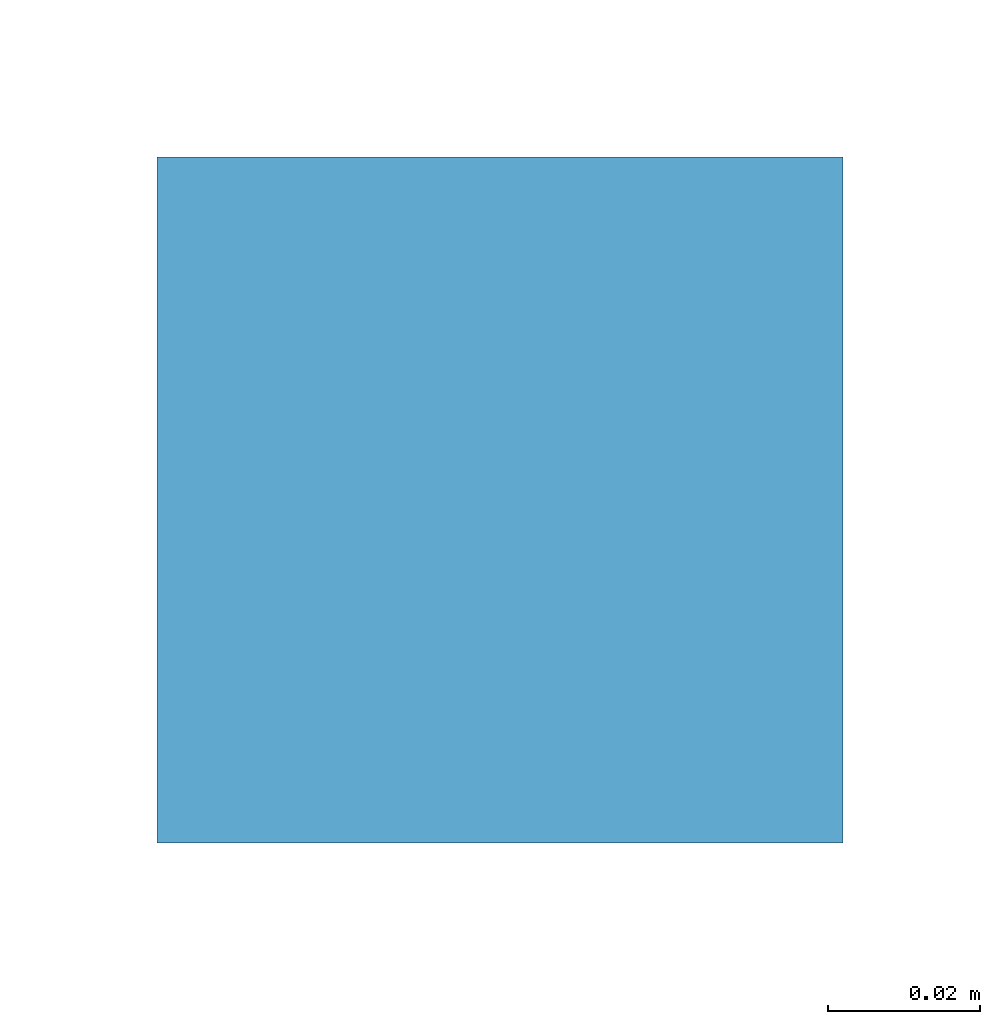
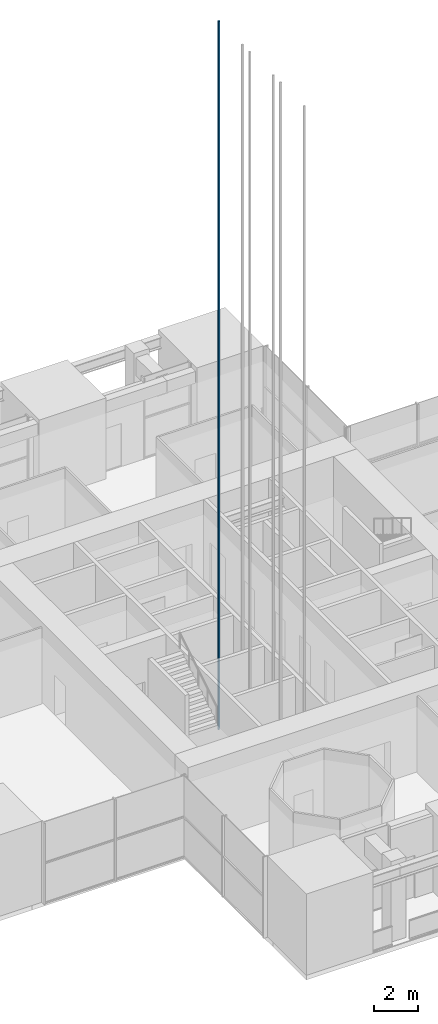
# One storey, part 13 of 17: 1 discrete accessory.
"""IFC4 building model written with IfcOpenShell, lengths in metres."""

from ifc_helpers import new_model, si_unit, direction, frame, origin, origin_2d, place, context, subcontext, project, spatial, rectangle, extrude, element, save


model = new_model("IFC4")

# Units and contexts
model_context = context("Model", 3, precision=1e-05, world=origin(), true_north=direction((0.0, 1.0)))
body_context = subcontext(model_context, "Body", "Model", "MODEL_VIEW")
ifc_project = project(units=[si_unit("LENGTHUNIT", "METRE"), si_unit("AREAUNIT", "SQUARE_METRE"), si_unit("VOLUMEUNIT", "CUBIC_METRE"), si_unit("PLANEANGLEUNIT", "RADIAN"), si_unit("MASSUNIT", "GRAM", prefix="KILO")], contexts=[model_context])

# Site, building, storey
site_placement = place(None, origin())
site = spatial("IfcSite", under=ifc_project, at=site_placement, CompositionType="ELEMENT")
building_placement = place(site_placement, origin())
building = spatial("IfcBuilding", under=site, at=building_placement, Name="Svetlomir Tower", CompositionType="ELEMENT")
storey_placement = place(building_placement, frame((0.0, 0.0, 239.5)))
storey = spatial("IfcBuildingStorey", under=building, at=storey_placement, Name="L57", CompositionType="ELEMENT", Elevation=239.5)

# Discrete accessory
discrete_accessory_placement = place(storey_placement, frame((18.300048828125, 20.574951171875, -1.39990234375), z_axis=(0.0, 0.0, 1.0), x_axis=(1.0, 0.0, 0.0)))
element("IfcDiscreteAccessory", 1, at=discrete_accessory_placement, inside=storey, Name="Lift LD3 guide rail 2", ObjectType="LIFT GUIDE RAIL", PredefinedType="USERDEFINED", context=body_context, shape_type="SweptSolid", body=[
    extrude(rectangle(XDim=0.090087890625, YDim=0.090087890625, at=origin_2d()), origin(), (0.0, 0.0, 1.0), 39.199951171875),
])

save(model, "model.ifc")
